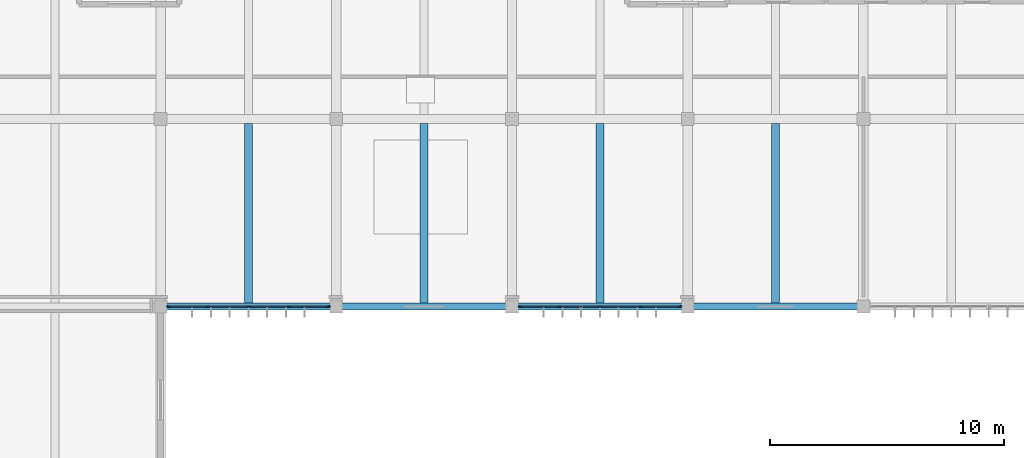
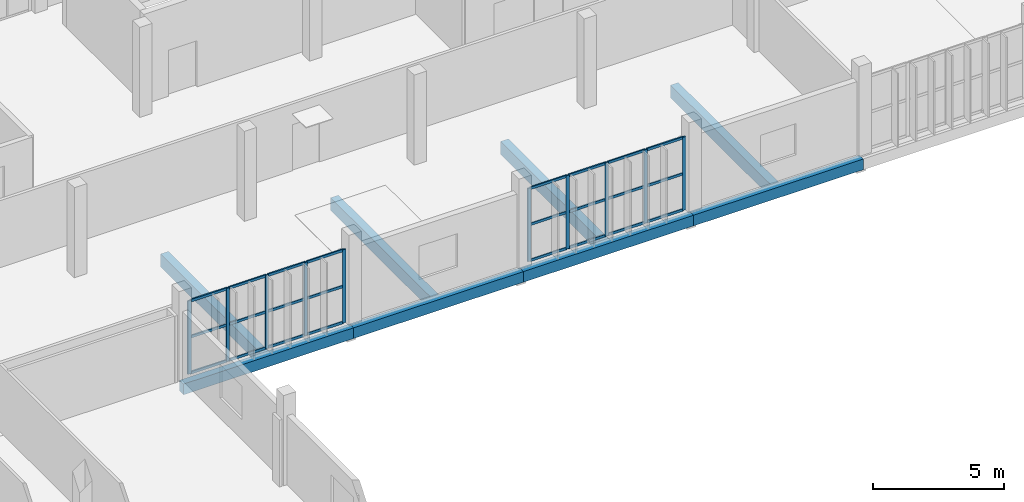
# One storey, part 10 of 61: 34 members, 8 beams, 2 elements without a shape of their own.
"""IFC4 building model written with IfcOpenShell, lengths in metres."""

from ifc_helpers import new_model, si_unit, direction, frame, origin, origin_2d, place, context, subcontext, project, spatial, rectangle, extrude, material, material_profile, profile_set, type_object, element, aggregate, save


model = new_model("IFC4")

# Units and contexts
model_context = context("Model", 3, precision=1e-05, world=origin(), true_north=direction((0.0, 1.0)))
body_context = subcontext(model_context, "Body", "Model", "MODEL_VIEW")
ifc_project = project(units=[si_unit("LENGTHUNIT", "METRE"), si_unit("AREAUNIT", "SQUARE_METRE"), si_unit("VOLUMEUNIT", "CUBIC_METRE"), si_unit("PLANEANGLEUNIT", "RADIAN"), si_unit("MASSUNIT", "GRAM", prefix="KILO")], contexts=[model_context])

# Site, building, storey
site_placement = place(None, origin())
site = spatial("IfcSite", under=ifc_project, at=site_placement, CompositionType="ELEMENT")
building_placement = place(site_placement, origin())
building = spatial("IfcBuilding", under=site, at=building_placement, Name="Vourika Railside Aquatics Centre", CompositionType="ELEMENT")
storey_placement = place(building_placement, frame((0.0, 0.0, 9.300048828125)))
storey = spatial("IfcBuildingStorey", under=building, at=storey_placement, Name="L02", CompositionType="ELEMENT", Elevation=9.300048828125)

# Beams
ifc_material_1 = material(Name="Concrete C35/45", Category="concrete")
ifc_material_profile_1 = material_profile(ifc_material_1, rectangle(XDim=0.35009765625, YDim=0.60009765625, at=origin_2d()), Name="RC 350x600")
ifc_profile_set_1 = profile_set([ifc_material_profile_1], Name="Concrete C35/45")
beam_type_1 = type_object("IfcBeamType", Name="BM-SEC-350x600", PredefinedType="JOIST", material=ifc_profile_set_1)
for number, where, z_axis, x_axis, name in (
    (1, (39.75, 92.14990234375, -0.580078125), (0.0, 1.0, 0.0), (-1.0, 0.0, 0.0), "Secondary Joist JY-L02-336"),
    (2, (47.25, 92.14990234375, -0.580078125), (0.0, 1.0, 0.0), (-1.0, 0.0, 0.0), "Secondary Joist JY-L02-337"),
    (3, (54.75, 92.14990234375, -0.580078125), (0.0, 1.0, 0.0), (-1.0, 0.0, 0.0), "Secondary Joist JY-L02-338"),
    (4, (62.25, 92.14990234375, -0.580078125), (0.0, 1.0, 0.0), (-1.0, 0.0, 0.0), "Secondary Joist JY-L02-339"),
):
    element("IfcBeam", number, at=place(storey_placement, frame(where, z_axis=z_axis, x_axis=x_axis)), inside=storey, type_object=beam_type_1, Name=name, PredefinedType="JOIST", context=body_context, shape_type="SweptSolid", body=[
        extrude(rectangle(XDim=0.35009765625, YDim=0.60009765625, at=origin_2d()), origin(), (0.0, 0.0, 1.0), 7.650146484375),
    ])
ifc_material_profile_2 = material_profile(ifc_material_1, rectangle(XDim=0.300048828125, YDim=0.5, at=origin_2d()), Name="RC 300x500")
ifc_profile_set_2 = profile_set([ifc_material_profile_2], Name="Concrete C35/45")
beam_type_2 = type_object("IfcBeamType", Name="BM-SPAN-300x500", PredefinedType="SPANDREL", material=ifc_profile_set_2)
for number, where, z_axis, x_axis, name in (
    (5, (36.0, 92.0, -0.530029296875), (1.0, 0.0, 0.0), (0.0, 1.0, 0.0), "Floor Beam GX-L02-086"),
    (6, (43.5, 92.0, -0.530029296875), (1.0, 0.0, 0.0), (0.0, 1.0, 0.0), "Floor Beam GX-L02-087"),
    (7, (51.0, 92.0, -0.530029296875), (1.0, 0.0, 0.0), (0.0, 1.0, 0.0), "Floor Beam GX-L02-088"),
    (8, (58.5, 92.0, -0.530029296875), (1.0, 0.0, 0.0), (0.0, 1.0, 0.0), "Floor Beam GX-L02-089"),
):
    element("IfcBeam", number, at=place(storey_placement, frame(where, z_axis=z_axis, x_axis=x_axis)), inside=storey, type_object=beam_type_2, Name=name, PredefinedType="SPANDREL", context=body_context, shape_type="SweptSolid", body=[
        extrude(rectangle(XDim=0.300048828125, YDim=0.5, at=origin_2d()), origin(), (0.0, 0.0, 1.0), 7.5),
    ])

# Curtain wall, members
ifc_material_2 = material(Name="Anodized thermally broken aluminium", Category="aluminium")
curtain_wall_type = type_object("IfcCurtainWallType", Name="CW-FIT2", PredefinedType="NOTDEFINED", material=ifc_material_2)
curtain_wall_1_placement = place(storey_placement, origin())
curtain_wall_1 = element("IfcCurtainWall", 9, at=curtain_wall_1_placement, inside=storey, type_object=curtain_wall_type, Name="Courtyard Fitness Curtain Wall L02-1", PredefinedType="NOTDEFINED")
ifc_material_3 = material(Name="Anodized aluminium mullion", Category="aluminium")
ifc_material_profile_3 = material_profile(ifc_material_3, rectangle(XDim=0.06005859375, YDim=0.14990234375, at=origin_2d()), Name="ALU-M 60x150")
ifc_profile_set_3 = profile_set([ifc_material_profile_3], Name="Anodized aluminium mullion")
member_type_1 = type_object("IfcMemberType", Name="CWM-FIT2", PredefinedType="MULLION", material=ifc_profile_set_3)
member_1_placement = place(storey_placement, frame((36.3349609375, 92.0, 0.0), z_axis=(0.0, 0.0, 1.0), x_axis=(0.0, 1.0, 0.0)))
member_1 = element("IfcMember", 10, at=member_1_placement, type_object=member_type_1, Name="CW16 mullion 1", PredefinedType="MULLION", context=body_context, shape_type="SweptSolid", body=[
    extrude(rectangle(XDim=0.06005859375, YDim=0.14990234375, at=origin_2d()), origin(), (0.0, 0.0, 1.0), 3.419921875),
])
member_2_placement = place(storey_placement, frame((38.027587890625, 92.0, 0.0), z_axis=(0.0, 0.0, 1.0), x_axis=(0.0, 1.0, 0.0)))
member_2 = element("IfcMember", 11, at=member_2_placement, type_object=member_type_1, Name="CW16 mullion 2", PredefinedType="MULLION", context=body_context, shape_type="SweptSolid", body=[
    extrude(rectangle(XDim=0.06005859375, YDim=0.14990234375, at=origin_2d()), origin(), (0.0, 0.0, 1.0), 3.419921875),
])
member_3_placement = place(storey_placement, frame((39.75, 92.0, 0.0), z_axis=(0.0, 0.0, 1.0), x_axis=(0.0, 1.0, 0.0)))
member_3 = element("IfcMember", 12, at=member_3_placement, type_object=member_type_1, Name="CW16 mullion 3", PredefinedType="MULLION", context=body_context, shape_type="SweptSolid", body=[
    extrude(rectangle(XDim=0.06005859375, YDim=0.14990234375, at=origin_2d()), origin(), (0.0, 0.0, 1.0), 3.419921875),
])
member_4_placement = place(storey_placement, frame((41.472412109375, 92.0, 0.0), z_axis=(0.0, 0.0, 1.0), x_axis=(0.0, 1.0, 0.0)))
member_4 = element("IfcMember", 13, at=member_4_placement, type_object=member_type_1, Name="CW16 mullion 4", PredefinedType="MULLION", context=body_context, shape_type="SweptSolid", body=[
    extrude(rectangle(XDim=0.06005859375, YDim=0.14990234375, at=origin_2d()), origin(), (0.0, 0.0, 1.0), 3.419921875),
])
member_5_placement = place(storey_placement, frame((43.1650390625, 92.0, 0.0), z_axis=(0.0, 0.0, 1.0), x_axis=(0.0, 1.0, 0.0)))
member_5 = element("IfcMember", 14, at=member_5_placement, type_object=member_type_1, Name="CW16 mullion 5", PredefinedType="MULLION", context=body_context, shape_type="SweptSolid", body=[
    extrude(rectangle(XDim=0.06005859375, YDim=0.14990234375, at=origin_2d()), origin(), (0.0, 0.0, 1.0), 3.419921875),
])

curtain_wall_2_placement = place(storey_placement, origin())
curtain_wall_2 = element("IfcCurtainWall", 15, at=curtain_wall_2_placement, inside=storey, type_object=curtain_wall_type, Name="Courtyard Fitness Curtain Wall L02-3", PredefinedType="NOTDEFINED")
member_6_placement = place(storey_placement, frame((51.3349609375, 92.0, 0.0), z_axis=(0.0, 0.0, 1.0), x_axis=(0.0, 1.0, 0.0)))
member_6 = element("IfcMember", 16, at=member_6_placement, type_object=member_type_1, Name="CW16 mullion 1", PredefinedType="MULLION", context=body_context, shape_type="SweptSolid", body=[
    extrude(rectangle(XDim=0.06005859375, YDim=0.14990234375, at=origin_2d()), origin(), (0.0, 0.0, 1.0), 3.419921875),
])
member_7_placement = place(storey_placement, frame((53.027587890625, 92.0, 0.0), z_axis=(0.0, 0.0, 1.0), x_axis=(0.0, 1.0, 0.0)))
member_7 = element("IfcMember", 17, at=member_7_placement, type_object=member_type_1, Name="CW16 mullion 2", PredefinedType="MULLION", context=body_context, shape_type="SweptSolid", body=[
    extrude(rectangle(XDim=0.06005859375, YDim=0.14990234375, at=origin_2d()), origin(), (0.0, 0.0, 1.0), 3.419921875),
])
member_8_placement = place(storey_placement, frame((54.75, 92.0, 0.0), z_axis=(0.0, 0.0, 1.0), x_axis=(0.0, 1.0, 0.0)))
member_8 = element("IfcMember", 18, at=member_8_placement, type_object=member_type_1, Name="CW16 mullion 3", PredefinedType="MULLION", context=body_context, shape_type="SweptSolid", body=[
    extrude(rectangle(XDim=0.06005859375, YDim=0.14990234375, at=origin_2d()), origin(), (0.0, 0.0, 1.0), 3.419921875),
])
member_9_placement = place(storey_placement, frame((56.472412109375, 92.0, 0.0), z_axis=(0.0, 0.0, 1.0), x_axis=(0.0, 1.0, 0.0)))
member_9 = element("IfcMember", 19, at=member_9_placement, type_object=member_type_1, Name="CW16 mullion 4", PredefinedType="MULLION", context=body_context, shape_type="SweptSolid", body=[
    extrude(rectangle(XDim=0.06005859375, YDim=0.14990234375, at=origin_2d()), origin(), (0.0, 0.0, 1.0), 3.419921875),
])
member_10_placement = place(storey_placement, frame((58.1650390625, 92.0, 0.0), z_axis=(0.0, 0.0, 1.0), x_axis=(0.0, 1.0, 0.0)))
member_10 = element("IfcMember", 20, at=member_10_placement, type_object=member_type_1, Name="CW16 mullion 5", PredefinedType="MULLION", context=body_context, shape_type="SweptSolid", body=[
    extrude(rectangle(XDim=0.06005859375, YDim=0.14990234375, at=origin_2d()), origin(), (0.0, 0.0, 1.0), 3.419921875),
])

# Member
ifc_material_4 = material(Name="Anodized aluminium transom", Category="aluminium")
ifc_material_profile_4 = material_profile(ifc_material_4, rectangle(XDim=0.06005859375, YDim=0.117919921875, at=origin_2d()), Name="ALU-T 60x118")
ifc_profile_set_4 = profile_set([ifc_material_profile_4], Name="Anodized aluminium transom")
member_type_2 = type_object("IfcMemberType", Name="CWT-FIT2", PredefinedType="USERDEFINED", material=ifc_profile_set_4)
member_11_placement = place(storey_placement, frame((36.364990234375, 92.0, 0.030029296875), z_axis=(1.0, 0.0, 0.0), x_axis=(0.0, 1.0, 0.0)))
member_11 = element("IfcMember", 21, at=member_11_placement, type_object=member_type_2, Name="CW16 transom 1.1", ObjectType="TRANSOM", PredefinedType="USERDEFINED", context=body_context, shape_type="SweptSolid", body=[
    extrude(rectangle(XDim=0.06005859375, YDim=0.117919921875, at=origin_2d()), origin(), (0.0, 0.0, 1.0), 1.632568359375),
])

member_12_placement = place(storey_placement, frame((36.364990234375, 92.0, 1.7099609375), z_axis=(1.0, 0.0, 0.0), x_axis=(0.0, 1.0, 0.0)))
member_12 = element("IfcMember", 22, at=member_12_placement, type_object=member_type_2, Name="CW16 transom 1.2", ObjectType="TRANSOM", PredefinedType="USERDEFINED", context=body_context, shape_type="SweptSolid", body=[
    extrude(rectangle(XDim=0.06005859375, YDim=0.117919921875, at=origin_2d()), origin(), (0.0, 0.0, 1.0), 1.632568359375),
])

member_13_placement = place(storey_placement, frame((36.364990234375, 92.0, 3.389892578125), z_axis=(1.0, 0.0, 0.0), x_axis=(0.0, 1.0, 0.0)))
member_13 = element("IfcMember", 23, at=member_13_placement, type_object=member_type_2, Name="CW16 transom 1.3", ObjectType="TRANSOM", PredefinedType="USERDEFINED", context=body_context, shape_type="SweptSolid", body=[
    extrude(rectangle(XDim=0.06005859375, YDim=0.117919921875, at=origin_2d()), origin(), (0.0, 0.0, 1.0), 1.632568359375),
])

member_14_placement = place(storey_placement, frame((38.0576171875, 92.0, 0.030029296875), z_axis=(1.0, 0.0, 0.0), x_axis=(0.0, 1.0, 0.0)))
member_14 = element("IfcMember", 24, at=member_14_placement, type_object=member_type_2, Name="CW16 transom 2.1", ObjectType="TRANSOM", PredefinedType="USERDEFINED", context=body_context, shape_type="SweptSolid", body=[
    extrude(rectangle(XDim=0.06005859375, YDim=0.117919921875, at=origin_2d()), origin(), (0.0, 0.0, 1.0), 1.662353515625),
])

member_15_placement = place(storey_placement, frame((38.0576171875, 92.0, 1.7099609375), z_axis=(1.0, 0.0, 0.0), x_axis=(0.0, 1.0, 0.0)))
member_15 = element("IfcMember", 25, at=member_15_placement, type_object=member_type_2, Name="CW16 transom 2.2", ObjectType="TRANSOM", PredefinedType="USERDEFINED", context=body_context, shape_type="SweptSolid", body=[
    extrude(rectangle(XDim=0.06005859375, YDim=0.117919921875, at=origin_2d()), origin(), (0.0, 0.0, 1.0), 1.662353515625),
])

member_16_placement = place(storey_placement, frame((38.0576171875, 92.0, 3.389892578125), z_axis=(1.0, 0.0, 0.0), x_axis=(0.0, 1.0, 0.0)))
member_16 = element("IfcMember", 26, at=member_16_placement, type_object=member_type_2, Name="CW16 transom 2.3", ObjectType="TRANSOM", PredefinedType="USERDEFINED", context=body_context, shape_type="SweptSolid", body=[
    extrude(rectangle(XDim=0.06005859375, YDim=0.117919921875, at=origin_2d()), origin(), (0.0, 0.0, 1.0), 1.662353515625),
])

member_17_placement = place(storey_placement, frame((39.780029296875, 92.0, 0.030029296875), z_axis=(1.0, 0.0, 0.0), x_axis=(0.0, 1.0, 0.0)))
member_17 = element("IfcMember", 27, at=member_17_placement, type_object=member_type_2, Name="CW16 transom 3.1", ObjectType="TRANSOM", PredefinedType="USERDEFINED", context=body_context, shape_type="SweptSolid", body=[
    extrude(rectangle(XDim=0.06005859375, YDim=0.117919921875, at=origin_2d()), origin(), (0.0, 0.0, 1.0), 1.662353515625),
])

member_18_placement = place(storey_placement, frame((39.780029296875, 92.0, 1.7099609375), z_axis=(1.0, 0.0, 0.0), x_axis=(0.0, 1.0, 0.0)))
member_18 = element("IfcMember", 28, at=member_18_placement, type_object=member_type_2, Name="CW16 transom 3.2", ObjectType="TRANSOM", PredefinedType="USERDEFINED", context=body_context, shape_type="SweptSolid", body=[
    extrude(rectangle(XDim=0.06005859375, YDim=0.117919921875, at=origin_2d()), origin(), (0.0, 0.0, 1.0), 1.662353515625),
])

member_19_placement = place(storey_placement, frame((39.780029296875, 92.0, 3.389892578125), z_axis=(1.0, 0.0, 0.0), x_axis=(0.0, 1.0, 0.0)))
member_19 = element("IfcMember", 29, at=member_19_placement, type_object=member_type_2, Name="CW16 transom 3.3", ObjectType="TRANSOM", PredefinedType="USERDEFINED", context=body_context, shape_type="SweptSolid", body=[
    extrude(rectangle(XDim=0.06005859375, YDim=0.117919921875, at=origin_2d()), origin(), (0.0, 0.0, 1.0), 1.662353515625),
])

member_20_placement = place(storey_placement, frame((41.50244140625, 92.0, 0.030029296875), z_axis=(1.0, 0.0, 0.0), x_axis=(0.0, 1.0, 0.0)))
member_20 = element("IfcMember", 30, at=member_20_placement, type_object=member_type_2, Name="CW16 transom 4.1", ObjectType="TRANSOM", PredefinedType="USERDEFINED", context=body_context, shape_type="SweptSolid", body=[
    extrude(rectangle(XDim=0.06005859375, YDim=0.117919921875, at=origin_2d()), origin(), (0.0, 0.0, 1.0), 1.632568359375),
])

member_21_placement = place(storey_placement, frame((41.50244140625, 92.0, 1.7099609375), z_axis=(1.0, 0.0, 0.0), x_axis=(0.0, 1.0, 0.0)))
member_21 = element("IfcMember", 31, at=member_21_placement, type_object=member_type_2, Name="CW16 transom 4.2", ObjectType="TRANSOM", PredefinedType="USERDEFINED", context=body_context, shape_type="SweptSolid", body=[
    extrude(rectangle(XDim=0.06005859375, YDim=0.117919921875, at=origin_2d()), origin(), (0.0, 0.0, 1.0), 1.632568359375),
])

member_22_placement = place(storey_placement, frame((41.50244140625, 92.0, 3.389892578125), z_axis=(1.0, 0.0, 0.0), x_axis=(0.0, 1.0, 0.0)))
member_22 = element("IfcMember", 32, at=member_22_placement, type_object=member_type_2, Name="CW16 transom 4.3", ObjectType="TRANSOM", PredefinedType="USERDEFINED", context=body_context, shape_type="SweptSolid", body=[
    extrude(rectangle(XDim=0.06005859375, YDim=0.117919921875, at=origin_2d()), origin(), (0.0, 0.0, 1.0), 1.632568359375),
])

aggregate(curtain_wall_1, [member_1, member_2, member_3, member_4, member_5, member_11, member_12, member_13, member_14, member_15, member_16, member_17, member_18, member_19, member_20, member_21, member_22])

member_23_placement = place(storey_placement, frame((51.364990234375, 92.0, 0.030029296875), z_axis=(1.0, 0.0, 0.0), x_axis=(0.0, 1.0, 0.0)))
member_23 = element("IfcMember", 33, at=member_23_placement, type_object=member_type_2, Name="CW16 transom 1.1", ObjectType="TRANSOM", PredefinedType="USERDEFINED", context=body_context, shape_type="SweptSolid", body=[
    extrude(rectangle(XDim=0.06005859375, YDim=0.117919921875, at=origin_2d()), origin(), (0.0, 0.0, 1.0), 1.632568359375),
])

member_24_placement = place(storey_placement, frame((51.364990234375, 92.0, 1.7099609375), z_axis=(1.0, 0.0, 0.0), x_axis=(0.0, 1.0, 0.0)))
member_24 = element("IfcMember", 34, at=member_24_placement, type_object=member_type_2, Name="CW16 transom 1.2", ObjectType="TRANSOM", PredefinedType="USERDEFINED", context=body_context, shape_type="SweptSolid", body=[
    extrude(rectangle(XDim=0.06005859375, YDim=0.117919921875, at=origin_2d()), origin(), (0.0, 0.0, 1.0), 1.632568359375),
])

member_25_placement = place(storey_placement, frame((51.364990234375, 92.0, 3.389892578125), z_axis=(1.0, 0.0, 0.0), x_axis=(0.0, 1.0, 0.0)))
member_25 = element("IfcMember", 35, at=member_25_placement, type_object=member_type_2, Name="CW16 transom 1.3", ObjectType="TRANSOM", PredefinedType="USERDEFINED", context=body_context, shape_type="SweptSolid", body=[
    extrude(rectangle(XDim=0.06005859375, YDim=0.117919921875, at=origin_2d()), origin(), (0.0, 0.0, 1.0), 1.632568359375),
])

member_26_placement = place(storey_placement, frame((53.0576171875, 92.0, 0.030029296875), z_axis=(1.0, 0.0, 0.0), x_axis=(0.0, 1.0, 0.0)))
member_26 = element("IfcMember", 36, at=member_26_placement, type_object=member_type_2, Name="CW16 transom 2.1", ObjectType="TRANSOM", PredefinedType="USERDEFINED", context=body_context, shape_type="SweptSolid", body=[
    extrude(rectangle(XDim=0.06005859375, YDim=0.117919921875, at=origin_2d()), origin(), (0.0, 0.0, 1.0), 1.662353515625),
])

member_27_placement = place(storey_placement, frame((53.0576171875, 92.0, 1.7099609375), z_axis=(1.0, 0.0, 0.0), x_axis=(0.0, 1.0, 0.0)))
member_27 = element("IfcMember", 37, at=member_27_placement, type_object=member_type_2, Name="CW16 transom 2.2", ObjectType="TRANSOM", PredefinedType="USERDEFINED", context=body_context, shape_type="SweptSolid", body=[
    extrude(rectangle(XDim=0.06005859375, YDim=0.117919921875, at=origin_2d()), origin(), (0.0, 0.0, 1.0), 1.662353515625),
])

member_28_placement = place(storey_placement, frame((53.0576171875, 92.0, 3.389892578125), z_axis=(1.0, 0.0, 0.0), x_axis=(0.0, 1.0, 0.0)))
member_28 = element("IfcMember", 38, at=member_28_placement, type_object=member_type_2, Name="CW16 transom 2.3", ObjectType="TRANSOM", PredefinedType="USERDEFINED", context=body_context, shape_type="SweptSolid", body=[
    extrude(rectangle(XDim=0.06005859375, YDim=0.117919921875, at=origin_2d()), origin(), (0.0, 0.0, 1.0), 1.662353515625),
])

member_29_placement = place(storey_placement, frame((54.780029296875, 92.0, 0.030029296875), z_axis=(1.0, 0.0, 0.0), x_axis=(0.0, 1.0, 0.0)))
member_29 = element("IfcMember", 39, at=member_29_placement, type_object=member_type_2, Name="CW16 transom 3.1", ObjectType="TRANSOM", PredefinedType="USERDEFINED", context=body_context, shape_type="SweptSolid", body=[
    extrude(rectangle(XDim=0.06005859375, YDim=0.117919921875, at=origin_2d()), origin(), (0.0, 0.0, 1.0), 1.662353515625),
])

member_30_placement = place(storey_placement, frame((54.780029296875, 92.0, 1.7099609375), z_axis=(1.0, 0.0, 0.0), x_axis=(0.0, 1.0, 0.0)))
member_30 = element("IfcMember", 40, at=member_30_placement, type_object=member_type_2, Name="CW16 transom 3.2", ObjectType="TRANSOM", PredefinedType="USERDEFINED", context=body_context, shape_type="SweptSolid", body=[
    extrude(rectangle(XDim=0.06005859375, YDim=0.117919921875, at=origin_2d()), origin(), (0.0, 0.0, 1.0), 1.662353515625),
])

member_31_placement = place(storey_placement, frame((54.780029296875, 92.0, 3.389892578125), z_axis=(1.0, 0.0, 0.0), x_axis=(0.0, 1.0, 0.0)))
member_31 = element("IfcMember", 41, at=member_31_placement, type_object=member_type_2, Name="CW16 transom 3.3", ObjectType="TRANSOM", PredefinedType="USERDEFINED", context=body_context, shape_type="SweptSolid", body=[
    extrude(rectangle(XDim=0.06005859375, YDim=0.117919921875, at=origin_2d()), origin(), (0.0, 0.0, 1.0), 1.662353515625),
])

member_32_placement = place(storey_placement, frame((56.50244140625, 92.0, 0.030029296875), z_axis=(1.0, 0.0, 0.0), x_axis=(0.0, 1.0, 0.0)))
member_32 = element("IfcMember", 42, at=member_32_placement, type_object=member_type_2, Name="CW16 transom 4.1", ObjectType="TRANSOM", PredefinedType="USERDEFINED", context=body_context, shape_type="SweptSolid", body=[
    extrude(rectangle(XDim=0.06005859375, YDim=0.117919921875, at=origin_2d()), origin(), (0.0, 0.0, 1.0), 1.632568359375),
])

member_33_placement = place(storey_placement, frame((56.50244140625, 92.0, 1.7099609375), z_axis=(1.0, 0.0, 0.0), x_axis=(0.0, 1.0, 0.0)))
member_33 = element("IfcMember", 43, at=member_33_placement, type_object=member_type_2, Name="CW16 transom 4.2", ObjectType="TRANSOM", PredefinedType="USERDEFINED", context=body_context, shape_type="SweptSolid", body=[
    extrude(rectangle(XDim=0.06005859375, YDim=0.117919921875, at=origin_2d()), origin(), (0.0, 0.0, 1.0), 1.632568359375),
])

member_34_placement = place(storey_placement, frame((56.50244140625, 92.0, 3.389892578125), z_axis=(1.0, 0.0, 0.0), x_axis=(0.0, 1.0, 0.0)))
member_34 = element("IfcMember", 44, at=member_34_placement, type_object=member_type_2, Name="CW16 transom 4.3", ObjectType="TRANSOM", PredefinedType="USERDEFINED", context=body_context, shape_type="SweptSolid", body=[
    extrude(rectangle(XDim=0.06005859375, YDim=0.117919921875, at=origin_2d()), origin(), (0.0, 0.0, 1.0), 1.632568359375),
])

aggregate(curtain_wall_2, [member_6, member_7, member_8, member_9, member_10, member_23, member_24, member_25, member_26, member_27, member_28, member_29, member_30, member_31, member_32, member_33, member_34])

save(model, "model.ifc")
